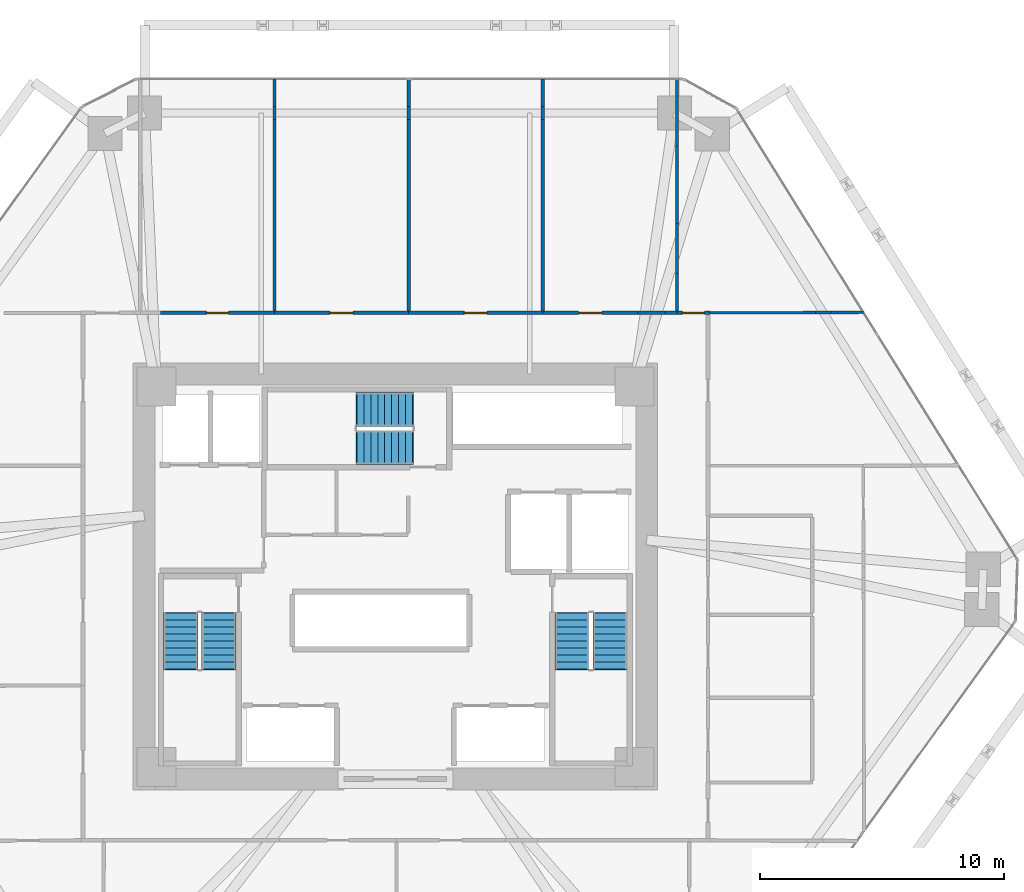
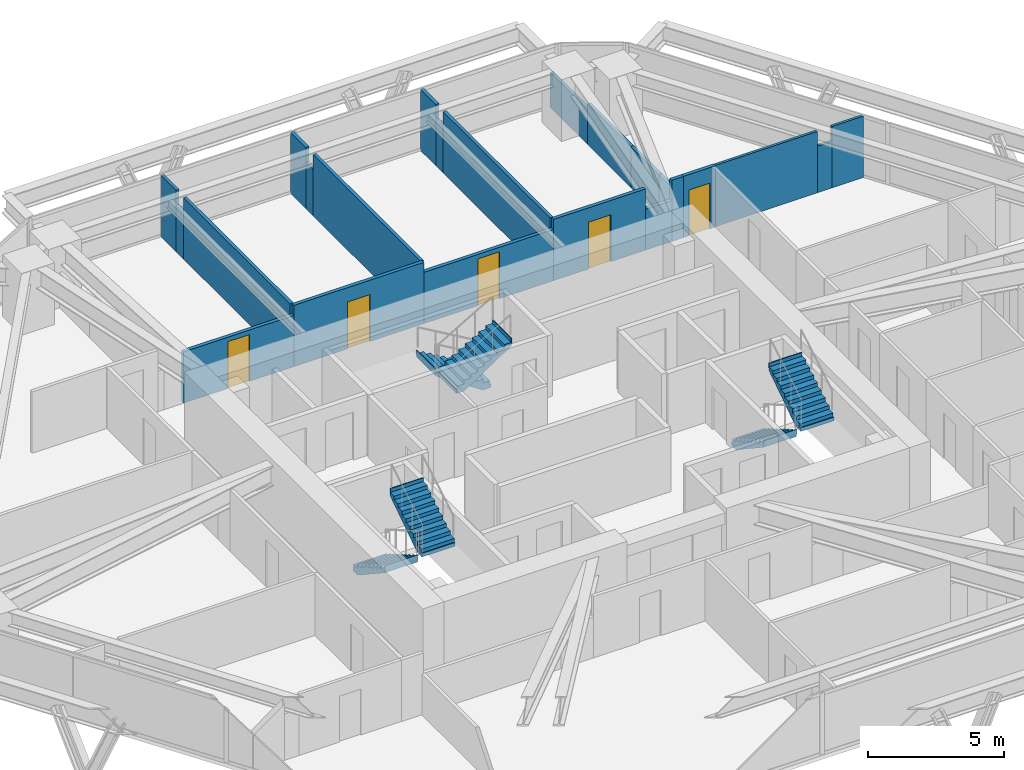
# One storey, part 14 of 15: 23 walls, 6 stair flights, 5 doors, 5 openings, 3 elements without a shape of their own.
"""IFC4 building model written with IfcOpenShell, lengths in metres."""

import ifcopenshell
import ifcopenshell.guid

model = None  # the IFC model being written
_history = None  # IfcOwnerHistory: only IFC2X3 demands one
_inside = {}  # id of a spatial element -> (the spatial element, [elements in it])
_under = {}  # id of a project, library or spatial element -> (it, [spatial elements below it])
_declared = {}  # id of a project -> (the project, [libraries it declares])
_typed = {}  # id of a type object -> (the type object, [elements of that type])
_made_of = {}  # id of a material, layer set ... -> (it, [elements and type objects made of it])


def new_model(schema):
    """Start an empty IFC model of exactly this schema.

    Asked for "IFC4X3", IfcOpenShell would pick the latest addendum, in which some entities
    have other attributes; the version numbers below select the first issue.
    IFC2X3 requires an IfcOwnerHistory on every rooted entity: one is made here for all.
    """
    global model, _history
    if schema == "IFC4X3":
        model = ifcopenshell.file(schema_version=(4, 3, 0, 0))
    else:
        model = ifcopenshell.file(schema=schema)
    _inside.clear()
    _under.clear()
    _declared.clear()
    _typed.clear()
    _made_of.clear()
    _history = None
    if model.schema == "IFC2X3":
        org = make("IfcOrganization", Name="unknown")
        user = make(
            "IfcPersonAndOrganization",
            ThePerson=make("IfcPerson", FamilyName="unknown"),
            TheOrganization=org,
        )
        app = make(
            "IfcApplication",
            ApplicationDeveloper=org,
            Version="unknown",
            ApplicationFullName="unknown",
            ApplicationIdentifier="unknown",
        )
        _history = make(
            "IfcOwnerHistory",
            OwningUser=user,
            OwningApplication=app,
            ChangeAction="ADDED",
            CreationDate=0,
        )
    return model


def make(cls, **values):
    """One entity of the class cls with the attributes given. An attribute that is None is left unset."""
    return model.create_entity(
        cls, **{name: value for name, value in values.items() if value is not None}
    )


def rooted(cls, **values):
    """An entity with a GlobalId (a new one), such as an element, a storey or a relation."""
    return make(cls, GlobalId=ifcopenshell.guid.new(), OwnerHistory=_history, **values)


def si_unit(unit_type, name, prefix=None):
    """IfcSIUnit, for example si_unit("LENGTHUNIT", "METRE", prefix="MILLI")."""
    return make("IfcSIUnit", UnitType=unit_type, Prefix=prefix, Name=name)


def assignment(units):
    """IfcUnitAssignment: the units of a project."""
    return None if units is None else make("IfcUnitAssignment", Units=units)


def point(xyz):
    """IfcCartesianPoint."""
    return None if xyz is None else make("IfcCartesianPoint", Coordinates=xyz)


def direction(xyz):
    """IfcDirection."""
    return None if xyz is None else make("IfcDirection", DirectionRatios=xyz)


def frame(location, z_axis=None, x_axis=None):
    """IfcAxis2Placement3D, a coordinate frame: its origin and axes. An axis left out is left unset."""
    return make(
        "IfcAxis2Placement3D",
        Location=point(location),
        Axis=direction(z_axis),
        RefDirection=direction(x_axis),
    )


def frame_2d(location, x_axis=None):
    """IfcAxis2Placement2D, a coordinate frame in the plane: its origin and x axis."""
    return make(
        "IfcAxis2Placement2D", Location=point(location), RefDirection=direction(x_axis)
    )


def origin():
    """The frame at (0, 0, 0) with its axes left unset."""
    return frame((0.0, 0.0, 0.0))


def place(relative_to, where):
    """IfcLocalPlacement: puts the frame where relative to a parent placement (None: the world)."""
    return make(
        "IfcLocalPlacement", PlacementRelTo=relative_to, RelativePlacement=where
    )


def context(
    kind, dimensions, precision=None, world=None, true_north=None, identifier=None
):
    """IfcGeometricRepresentationContext, for example the 3D "Model" context."""
    return make(
        "IfcGeometricRepresentationContext",
        ContextIdentifier=identifier,
        ContextType=kind,
        CoordinateSpaceDimension=dimensions,
        Precision=precision,
        WorldCoordinateSystem=world,
        TrueNorth=true_north,
    )


def subcontext(parent, identifier, kind, view, scale=None):
    """IfcGeometricRepresentationSubContext, for example "Body" below "Model"."""
    return make(
        "IfcGeometricRepresentationSubContext",
        ContextIdentifier=identifier,
        ContextType=kind,
        ParentContext=parent,
        TargetScale=scale,
        TargetView=view,
    )


def project(units=None, contexts=None):
    """IfcProject with its units and contexts."""
    return rooted(
        "IfcProject",
        Name="project",
        RepresentationContexts=contexts,
        UnitsInContext=assignment(units),
    )


def spatial(cls, under=None, at=None, **own):
    """A site, building, storey or space (cls), placed at a placement, below another one or the project."""
    s = rooted(cls, ObjectPlacement=at, **own)
    if under is not None:
        _under.setdefault(under.id(), (under, []))[1].append(s)
    return s


def polyline(points):
    """IfcPolyline through the points."""
    return make("IfcPolyline", Points=[point(p) for p in points])


def profile(cls, at=None, kind="AREA", **sizes):
    """A parametric profile (cls). Its sizes go by their IFC names, for example OverallWidth=200.0."""
    return make(cls, ProfileType=kind, Position=at, **sizes)


def rectangle(**sizes):
    """IfcRectangleProfileDef."""
    return profile("IfcRectangleProfileDef", **sizes)


def outline(outer, holes=None, kind="AREA"):
    """IfcArbitraryClosedProfileDef: a profile drawn as a closed curve; with holes, ...WithVoids."""
    if holes is None:
        return make("IfcArbitraryClosedProfileDef", ProfileType=kind, OuterCurve=outer)
    return make(
        "IfcArbitraryProfileDefWithVoids",
        ProfileType=kind,
        OuterCurve=outer,
        InnerCurves=holes,
    )


def extrude(swept, where, along, depth):
    """IfcExtrudedAreaSolid: the profile swept, set in the frame where, extruded along a direction by depth."""
    return make(
        "IfcExtrudedAreaSolid",
        SweptArea=swept,
        Position=where,
        ExtrudedDirection=direction(along),
        Depth=depth,
    )


def shape(context_of_items, identifier, shape_type, items):
    """IfcShapeRepresentation: the items that make up one representation, for example the "Body"."""
    return make(
        "IfcShapeRepresentation",
        ContextOfItems=context_of_items,
        RepresentationIdentifier=identifier,
        RepresentationType=shape_type,
        Items=items,
    )


def source(mapping_origin, context_of_items, identifier, shape_type, items):
    """IfcRepresentationMap: a shape defined once, which mapped items show again and again."""
    return make(
        "IfcRepresentationMap",
        MappingOrigin=mapping_origin,
        MappedRepresentation=shape(context_of_items, identifier, shape_type, items),
    )


def transform(
    local_origin,
    x_axis=None,
    y_axis=None,
    z_axis=None,
    scale=None,
    scale2=None,
    scale3=None,
    uniform=True,
):
    """IfcCartesianTransformationOperator3D, or its non-uniform kind. x_axis, y_axis, z_axis: its Axis1, 2, 3."""
    if uniform:
        return make(
            "IfcCartesianTransformationOperator3D",
            Axis1=direction(x_axis),
            Axis2=direction(y_axis),
            LocalOrigin=point(local_origin),
            Scale=scale,
            Axis3=direction(z_axis),
        )
    return make(
        "IfcCartesianTransformationOperator3DnonUniform",
        Axis1=direction(x_axis),
        Axis2=direction(y_axis),
        LocalOrigin=point(local_origin),
        Scale=scale,
        Axis3=direction(z_axis),
        Scale2=scale2,
        Scale3=scale3,
    )


def mapped(mapping_source, mapping_target):
    """IfcMappedItem: shows the shape of a source again, moved by a transform."""
    return make(
        "IfcMappedItem", MappingSource=mapping_source, MappingTarget=mapping_target
    )


def material(Name=None, Category=None):
    """IfcMaterial."""
    return make("IfcMaterial", Name=Name, Category=Category)


def layer(
    of_material, thickness, ventilated=None, Name=None, Category=None, Priority=None
):
    """IfcMaterialLayer: one layer of a wall or slab, of a material (None: an air gap)."""
    return make(
        "IfcMaterialLayer",
        Material=of_material,
        LayerThickness=thickness,
        IsVentilated=ventilated,
        Name=Name,
        Category=Category,
        Priority=Priority,
    )


def layer_set(layers, Name=None):
    """IfcMaterialLayerSet."""
    return make("IfcMaterialLayerSet", MaterialLayers=layers, LayerSetName=Name)


def made_of(thing, what):
    """Note that an element or type object is made of a material, layer set ...; save() writes the relation."""
    if what is not None:
        _made_of.setdefault(what.id(), (what, []))[1].append(thing)
    return thing


def type_object(cls, material=None, **own):
    """A type object (cls), such as IfcWallType, which elements share."""
    return made_of(rooted(cls, **own), material)


def type_shapes(of_type, sources):
    """Give a type object the sources (RepresentationMaps) that its elements show as mapped items."""
    of_type.RepresentationMaps = sources


def element(
    cls,
    number,
    at=None,
    inside=None,
    cuts=None,
    type_object=None,
    material=None,
    context=None,
    identifier="Body",
    shape_type=None,
    held_by="IfcProductDefinitionShape",
    body=None,
    shapes=None,
    **own,
):
    """One element of the class cls, such as IfcWall. Its Tag is "e" and its number.

    at: its placement. inside: the storey or other place that contains it. cuts: it is an
    opening in that element (IfcRelVoidsElement). A single representation is given by context,
    identifier, shape_type and body (its items); several are given by shapes. held_by: the class
    of the entity that holds the representations. save() writes the other relations.
    """
    e = rooted(cls, Tag="e%d" % number, ObjectPlacement=at, **own)
    if body is not None:
        shapes = [shape(context, identifier, shape_type, body)]
    if shapes is not None:
        e.Representation = make(held_by, Representations=shapes)
    if inside is not None:
        _inside.setdefault(inside.id(), (inside, []))[1].append(e)
    if cuts is not None:
        rooted(
            "IfcRelVoidsElement", RelatingBuildingElement=cuts, RelatedOpeningElement=e
        )
    if type_object is not None:
        _typed.setdefault(type_object.id(), (type_object, []))[1].append(e)
    return made_of(e, material)


def fill(opening, filler):
    """IfcRelFillsElement: the door or window that sits in an opening."""
    return rooted(
        "IfcRelFillsElement",
        RelatingOpeningElement=opening,
        RelatedBuildingElement=filler,
    )


def aggregate(whole, parts):
    """IfcRelAggregates: a whole, such as a stair, and the parts it consists of."""
    return rooted("IfcRelAggregates", RelatingObject=whole, RelatedObjects=parts)


def save(model, path):
    """Write the relations noted so far, then the file.

    IfcRelAggregates (storeys below a building ...), IfcRelContainedInSpatialStructure (elements
    in a storey), IfcRelDefinesByType, IfcRelAssociatesMaterial and IfcRelDeclares: one each for
    every whole, place, type object, material and project.
    """
    for whole, parts in _under.values():
        aggregate(whole, parts)
    for where, things in _inside.values():
        rooted(
            "IfcRelContainedInSpatialStructure",
            RelatedElements=things,
            RelatingStructure=where,
        )
    for kind, things in _typed.values():
        rooted("IfcRelDefinesByType", RelatedObjects=things, RelatingType=kind)
    for what, things in _made_of.values():
        rooted("IfcRelAssociatesMaterial", RelatedObjects=things, RelatingMaterial=what)
    for by, libraries in _declared.values():
        rooted("IfcRelDeclares", RelatingContext=by, RelatedDefinitions=libraries)
    model.write(path)


model = new_model("IFC4")

# Units and contexts
model_context = context("Model", 3, precision=1e-05, world=origin(), true_north=direction((0.0, 1.0)))
body_context = subcontext(model_context, "Body", "Model", "MODEL_VIEW")
ifc_project = project(units=[si_unit("LENGTHUNIT", "METRE"), si_unit("AREAUNIT", "SQUARE_METRE"), si_unit("VOLUMEUNIT", "CUBIC_METRE"), si_unit("PLANEANGLEUNIT", "RADIAN"), si_unit("MASSUNIT", "GRAM", prefix="KILO")], contexts=[model_context])

# Site, building, storey
site_placement = place(None, origin())
site = spatial("IfcSite", under=ifc_project, at=site_placement, CompositionType="ELEMENT")
building_placement = place(site_placement, origin())
building = spatial("IfcBuilding", under=site, at=building_placement, Name="Durnholm Broadcast Tower", CompositionType="ELEMENT")
storey_placement = place(building_placement, frame((0.0, 0.0, 75.300048828125)))
storey = spatial("IfcBuildingStorey", under=building, at=storey_placement, Name="L19", CompositionType="ELEMENT", Elevation=75.300048828125)

# Walls
ifc_material_1 = material(Name="Operable Acoustic Panel Partition", Category="aluminium")
ifc_layer_1 = layer(ifc_material_1, 0.110107421875)
ifc_layer_set_1 = layer_set([ifc_layer_1], Name="Operable Acoustic Panel Partition")
wall_type_1 = type_object("IfcWallType", Name="WALL-MOV-110", PredefinedType="MOVABLE", material=ifc_layer_set_1)
wall_1_placement = place(storey_placement, frame((19.18212890625, 10.831298828125, 0.0), z_axis=(0.0, 0.0, 1.0), x_axis=(-0.999994579825, -0.00329246432, 0.0)))
element("IfcWall", 1, at=wall_1_placement, inside=storey, type_object=wall_type_1, Name="L19 room dividing partition 11.22", PredefinedType="MOVABLE", context=body_context, shape_type="SweptSolid", body=[
    extrude(rectangle(XDim=1.334716796875, YDim=0.110107421875, at=frame_2d((0.66748046875, 0.0))), origin(), (0.0, 0.0, 1.0), 2.744873046875),
])
wall_2_placement = place(storey_placement, frame((17.225341796875, 10.82470703125, 0.0), z_axis=(0.0, 0.0, 1.0), x_axis=(-0.999994480721, -0.003322427884, 0.0)))
element("IfcWall", 2, at=wall_2_placement, inside=storey, type_object=wall_type_1, Name="L19 room dividing partition 11.22", PredefinedType="MOVABLE", context=body_context, shape_type="SweptSolid", body=[
    extrude(rectangle(XDim=4.33544921875, YDim=0.110107421875, at=frame_2d((2.167724609375, 0.0))), origin(), (0.0, 0.0, 1.0), 2.744873046875),
])
wall_3_placement = place(storey_placement, frame((17.847412109375, 10.826904296875, 0.0), z_axis=(0.0, 0.0, 1.0), x_axis=(-0.999993761903, -0.00353216007, 0.0)))
element("IfcWall", 3, at=wall_3_placement, inside=storey, type_object=wall_type_1, Name="L19 room dividing partition 11.22", PredefinedType="MOVABLE", context=body_context, shape_type="SweptSolid", body=[
    extrude(rectangle(XDim=0.6220703125, YDim=0.110107421875, at=frame_2d((0.31103515625, 0.0))), origin(), (0.0, 0.0, 1.0), 2.079833984375),
])
ifc_material_2 = material(Name="Gypsum Metal Stud Partition", Category="concrete")
ifc_layer_2 = layer(ifc_material_2, 0.135009765625)
ifc_layer_set_2 = layer_set([ifc_layer_2], Name="Gypsum Metal Stud Partition")
wall_type_2 = type_object("IfcWallType", Name="WALL-PART-135", PredefinedType="PARTITIONING", material=ifc_layer_set_2)
wall_4_placement = place(storey_placement, frame((-4.9599609375, 20.39990234375, 0.0), z_axis=(0.0, 0.0, 1.0), x_axis=(0.0, -1.0, 0.0)))
element("IfcWall", 4, at=wall_4_placement, inside=storey, type_object=wall_type_2, Name="L19 room dividing partition 7.8", PredefinedType="PARTITIONING", context=body_context, shape_type="SweptSolid", body=[
    extrude(rectangle(XDim=1.135498046875, YDim=0.135009765625, at=frame_2d((0.56787109375, 0.0))), origin(), (0.0, 0.0, 1.0), 2.744873046875),
])
wall_5_placement = place(storey_placement, frame((-4.9599609375, 18.735595703125, 0.0), z_axis=(0.0, 0.0, 1.0), x_axis=(0.0, -1.0, 0.0)))
element("IfcWall", 5, at=wall_5_placement, inside=storey, type_object=wall_type_2, Name="L19 room dividing partition 7.8", PredefinedType="PARTITIONING", context=body_context, shape_type="SweptSolid", body=[
    extrude(rectangle(XDim=7.8466796875, YDim=0.135009765625, at=frame_2d((3.92333984375, 0.0))), origin(), (0.0, 0.0, 1.0), 2.744873046875),
])
wall_6_placement = place(storey_placement, frame((-4.9599609375, 19.264404296875, 0.0), z_axis=(0.0, 0.0, 1.0), x_axis=(0.0, -1.0, 0.0)))
element("IfcWall", 6, at=wall_6_placement, inside=storey, type_object=wall_type_2, Name="L19 room dividing partition 7.8", PredefinedType="PARTITIONING", context=body_context, shape_type="SweptSolid", body=[
    extrude(rectangle(XDim=0.52880859375, YDim=0.135009765625, at=frame_2d((0.264404296875, 0.0))), origin(), (0.0, 0.0, 1.0), 2.079833984375),
])
wall_7_placement = place(storey_placement, frame((0.5400390625, 20.39990234375, 0.0), z_axis=(0.0, 0.0, 1.0), x_axis=(0.0, -1.0, 0.0)))
element("IfcWall", 7, at=wall_7_placement, inside=storey, type_object=wall_type_2, Name="L19 room dividing partition 8.9", PredefinedType="PARTITIONING", context=body_context, shape_type="SweptSolid", body=[
    extrude(rectangle(XDim=1.135498046875, YDim=0.135009765625, at=frame_2d((0.56787109375, 0.0))), origin(), (0.0, 0.0, 1.0), 2.744873046875),
])
wall_8_placement = place(storey_placement, frame((0.5400390625, 18.735595703125, 0.0), z_axis=(0.0, 0.0, 1.0), x_axis=(0.0, -1.0, 0.0)))
element("IfcWall", 8, at=wall_8_placement, inside=storey, type_object=wall_type_2, Name="L19 room dividing partition 8.9", PredefinedType="PARTITIONING", context=body_context, shape_type="SweptSolid", body=[
    extrude(rectangle(XDim=7.8466796875, YDim=0.135009765625, at=frame_2d((3.92333984375, 0.0))), origin(), (0.0, 0.0, 1.0), 2.744873046875),
])
wall_9_placement = place(storey_placement, frame((0.5400390625, 19.264404296875, 0.0), z_axis=(0.0, 0.0, 1.0), x_axis=(0.0, -1.0, 0.0)))
element("IfcWall", 9, at=wall_9_placement, inside=storey, type_object=wall_type_2, Name="L19 room dividing partition 8.9", PredefinedType="PARTITIONING", context=body_context, shape_type="SweptSolid", body=[
    extrude(rectangle(XDim=0.52880859375, YDim=0.135009765625, at=frame_2d((0.264404296875, 0.0))), origin(), (0.0, 0.0, 1.0), 2.079833984375),
])
wall_10_placement = place(storey_placement, frame((6.0400390625, 20.39990234375, 0.0), z_axis=(0.0, 0.0, 1.0), x_axis=(0.0, -1.0, 0.0)))
element("IfcWall", 10, at=wall_10_placement, inside=storey, type_object=wall_type_2, Name="L19 room dividing partition 9.10", PredefinedType="PARTITIONING", context=body_context, shape_type="SweptSolid", body=[
    extrude(rectangle(XDim=1.135498046875, YDim=0.135009765625, at=frame_2d((0.56787109375, 0.0))), origin(), (0.0, 0.0, 1.0), 2.744873046875),
])
wall_11_placement = place(storey_placement, frame((6.0400390625, 18.735595703125, 0.0), z_axis=(0.0, 0.0, 1.0), x_axis=(0.0, -1.0, 0.0)))
element("IfcWall", 11, at=wall_11_placement, inside=storey, type_object=wall_type_2, Name="L19 room dividing partition 9.10", PredefinedType="PARTITIONING", context=body_context, shape_type="SweptSolid", body=[
    extrude(rectangle(XDim=7.8466796875, YDim=0.135009765625, at=frame_2d((3.92333984375, 0.0))), origin(), (0.0, 0.0, 1.0), 2.744873046875),
])
wall_12_placement = place(storey_placement, frame((6.0400390625, 19.264404296875, 0.0), z_axis=(0.0, 0.0, 1.0), x_axis=(0.0, -1.0, 0.0)))
element("IfcWall", 12, at=wall_12_placement, inside=storey, type_object=wall_type_2, Name="L19 room dividing partition 9.10", PredefinedType="PARTITIONING", context=body_context, shape_type="SweptSolid", body=[
    extrude(rectangle(XDim=0.52880859375, YDim=0.135009765625, at=frame_2d((0.264404296875, 0.0))), origin(), (0.0, 0.0, 1.0), 2.079833984375),
])
wall_13_placement = place(storey_placement, frame((11.5400390625, 17.651611328125, 0.0), z_axis=(0.0, 0.0, 1.0), x_axis=(0.0, -1.0, 0.0)))
element("IfcWall", 13, at=wall_13_placement, inside=storey, type_object=wall_type_2, Name="L19 room dividing partition 10.11", PredefinedType="PARTITIONING", context=body_context, shape_type="SweptSolid", body=[
    extrude(rectangle(XDim=3.173095703125, YDim=0.135009765625, at=frame_2d((1.58642578125, 0.0))), origin(), (0.0, 0.0, 1.0), 1.830078125),
])
wall_14_placement = place(storey_placement, frame((11.5400390625, 12.425537109375, 0.0), z_axis=(0.0, 0.0, 1.0), x_axis=(0.0, -1.0, 0.0)))
element("IfcWall", 14, at=wall_14_placement, inside=storey, type_object=wall_type_2, Name="L19 room dividing partition 10.11", PredefinedType="PARTITIONING", context=body_context, shape_type="SweptSolid", body=[
    extrude(rectangle(XDim=1.53662109375, YDim=0.135009765625, at=frame_2d((0.768310546875, 0.0))), origin(), (0.0, 0.0, 1.0), 1.830078125),
])
wall_15_placement = place(storey_placement, frame((11.5400390625, 20.39990234375, 0.0), z_axis=(0.0, 0.0, 1.0), x_axis=(0.0, -1.0, 0.0)))
element("IfcWall", 15, at=wall_15_placement, inside=storey, type_object=wall_type_2, Name="L19 room dividing partition 10.11", PredefinedType="PARTITIONING", context=body_context, shape_type="SweptSolid", body=[
    extrude(rectangle(XDim=2.748291015625, YDim=0.135009765625, at=frame_2d((1.3740234375, 0.0))), origin(), (0.0, 0.0, 1.0), 1.5771484375),
])
wall_16_placement = place(storey_placement, frame((11.5400390625, 14.478515625, 0.0), z_axis=(0.0, 0.0, 1.0), x_axis=(0.0, -1.0, 0.0)))
element("IfcWall", 16, at=wall_16_placement, inside=storey, type_object=wall_type_2, Name="L19 room dividing partition 10.11", PredefinedType="PARTITIONING", context=body_context, shape_type="SweptSolid", body=[
    extrude(rectangle(XDim=2.052978515625, YDim=0.135009765625, at=frame_2d((1.0263671875, 0.0))), origin(), (0.0, 0.0, 1.0), 1.830078125),
])

# Wall, opening, door
ifc_material_3 = material(Name="Acoustic Gypsum Stud Partition", Category="concrete")
ifc_layer_3 = layer(ifc_material_3, 0.14990234375)
ifc_layer_set_3 = layer_set([ifc_layer_3], Name="Acoustic Gypsum Stud Partition")
wall_type_3 = type_object("IfcWallType", Name="WALL-PART-150", PredefinedType="PARTITIONING", material=ifc_layer_set_3)
wall_17_placement = place(storey_placement, frame((-4.9599609375, 10.81005859375, 0.0), z_axis=(0.0, 0.0, 1.0), x_axis=(-1.0, 0.0, 0.0)))
wall_17 = element("IfcWall", 17, at=wall_17_placement, inside=storey, type_object=wall_type_3, Name="L19 Documentary Office 2 corridor partition", PredefinedType="PARTITIONING", context=body_context, shape_type="SweptSolid", body=[
    extrude(rectangle(XDim=4.66748046875, YDim=0.14990234375, at=frame_2d((2.333740234375, 0.0))), origin(), (0.0, 0.0, 1.0), 2.297607421875),
])
opening_1_placement = place(wall_17_placement, frame((1.873779296875, 0.0, 0.0)))
opening_1 = element("IfcOpeningElement", 18, at=opening_1_placement, cuts=wall_17, Name="Opening DR-92L", PredefinedType="OPENING", context=body_context, shape_type="SweptSolid", body=[
    extrude(rectangle(XDim=0.919921875, YDim=2.10009765625, at=frame_2d((0.4599609375, 1.050048828125))), frame((0.0, 0.0849609375, 0.0), z_axis=(0.0, -1.0, 0.0), x_axis=(1.0, 0.0, 0.0)), (0.0, 0.0, 1.0), 0.169921875),
])
ifc_material_4 = material(Name="Oak Veneer Office Door", Category="wood")
ifc_layer_4 = layer(ifc_material_4, 0.050048828125)
ifc_layer_set_4 = layer_set([ifc_layer_4], Name="Oak Veneer Office Door")
door_type_1 = type_object("IfcDoorType", Name="DOOR-RM-920L", OperationType="NOTDEFINED", PredefinedType="DOOR", material=ifc_layer_set_4)
shared_shape_1 = source(origin(), body_context, "Body", "SweptSolid", [
    extrude(rectangle(XDim=0.919921875, YDim=2.10009765625, at=frame_2d((0.4599609375, 1.050048828125))), frame((0.0, 0.02490234375, 0.0), z_axis=(0.0, -1.0, 0.0), x_axis=(1.0, 0.0, 0.0)), (0.0, 0.0, 1.0), 0.050048828125),
])
type_shapes(door_type_1, [shared_shape_1])
door_1_placement = place(opening_1_placement, origin())
door_1 = element("IfcDoor", 19, at=door_1_placement, inside=storey, type_object=door_type_1, Name="L19 Documentary Office 2 entrance door", OperationType="SINGLE_SWING_LEFT", OverallHeight=2.10009765625, OverallWidth=0.919921875, PredefinedType="DOOR", context=body_context, shape_type="MappedRepresentation", body=[
    mapped(shared_shape_1, transform((0.0, 0.0, 0.0), x_axis=(1.0, 0.0, 0.0), y_axis=(0.0, 1.0, 0.0), z_axis=(0.0, 0.0, 1.0), scale=1.0)),
])
fill(opening_1, door_1)

wall_18_placement = place(storey_placement, frame((0.5400390625, 10.81005859375, 0.0), z_axis=(0.0, 0.0, 1.0), x_axis=(-1.0, 0.0, 0.0)))
wall_18 = element("IfcWall", 20, at=wall_18_placement, inside=storey, type_object=wall_type_3, Name="L19 Post Edit Office 1 corridor partition", PredefinedType="PARTITIONING", context=body_context, shape_type="SweptSolid", body=[
    extrude(rectangle(XDim=5.5, YDim=0.14990234375, at=frame_2d((2.75, 0.0))), origin(), (0.0, 0.0, 1.0), 2.744873046875),
])
opening_2_placement = place(wall_18_placement, frame((2.27490234375, 0.0, 0.0)))
opening_2 = element("IfcOpeningElement", 21, at=opening_2_placement, cuts=wall_18, Name="Opening DR-95R", PredefinedType="OPENING", context=body_context, shape_type="SweptSolid", body=[
    extrude(rectangle(XDim=0.949951171875, YDim=2.10009765625, at=frame_2d((0.47509765625, 1.050048828125))), frame((0.0, 0.0849609375, 0.0), z_axis=(0.0, -1.0, 0.0), x_axis=(1.0, 0.0, 0.0)), (0.0, 0.0, 1.0), 0.169921875),
])
ifc_material_5 = material(Name="Acoustic Oak Veneer Timber Door", Category="wood")
ifc_layer_5 = layer(ifc_material_5, 0.050048828125)
ifc_layer_set_5 = layer_set([ifc_layer_5], Name="Acoustic Oak Veneer Timber Door")
door_type_2 = type_object("IfcDoorType", Name="DOOR-RM-950R", OperationType="NOTDEFINED", PredefinedType="DOOR", material=ifc_layer_set_5)
shared_shape_2 = source(origin(), body_context, "Body", "SweptSolid", [
    extrude(rectangle(XDim=0.949951171875, YDim=2.10009765625, at=frame_2d((0.47509765625, 1.050048828125))), frame((0.0, 0.02490234375, 0.0), z_axis=(0.0, -1.0, 0.0), x_axis=(1.0, 0.0, 0.0)), (0.0, 0.0, 1.0), 0.050048828125),
])
type_shapes(door_type_2, [shared_shape_2])
door_2_placement = place(opening_2_placement, origin())
door_2 = element("IfcDoor", 22, at=door_2_placement, inside=storey, type_object=door_type_2, Name="L19 Post Edit Office 1 entrance door", OperationType="SINGLE_SWING_RIGHT", OverallHeight=2.10009765625, OverallWidth=0.949951171875, PredefinedType="DOOR", context=body_context, shape_type="MappedRepresentation", body=[
    mapped(shared_shape_2, transform((0.0, 0.0, 0.0), x_axis=(1.0, 0.0, 0.0), y_axis=(0.0, 1.0, 0.0), z_axis=(0.0, 0.0, 1.0), scale=1.0)),
])
fill(opening_2, door_2)

wall_19_placement = place(storey_placement, frame((6.0400390625, 10.81005859375, 0.0), z_axis=(0.0, 0.0, 1.0), x_axis=(-1.0, 0.0, 0.0)))
wall_19 = element("IfcWall", 23, at=wall_19_placement, inside=storey, type_object=wall_type_3, Name="L19 Post Edit Office 2 corridor partition", PredefinedType="PARTITIONING", context=body_context, shape_type="SweptSolid", body=[
    extrude(rectangle(XDim=5.5, YDim=0.14990234375, at=frame_2d((2.75, 0.0))), origin(), (0.0, 0.0, 1.0), 2.297607421875),
])
opening_3_placement = place(wall_19_placement, frame((2.2900390625, 0.0, 0.0)))
opening_3 = element("IfcOpeningElement", 24, at=opening_3_placement, cuts=wall_19, Name="Opening DR-92L", PredefinedType="OPENING", context=body_context, shape_type="SweptSolid", body=[
    extrude(rectangle(XDim=0.919921875, YDim=2.10009765625, at=frame_2d((0.4599609375, 1.050048828125))), frame((0.0, 0.0849609375, 0.0), z_axis=(0.0, -1.0, 0.0), x_axis=(1.0, 0.0, 0.0)), (0.0, 0.0, 1.0), 0.169921875),
])
door_3_placement = place(opening_3_placement, origin())
door_3 = element("IfcDoor", 25, at=door_3_placement, inside=storey, type_object=door_type_1, Name="L19 Post Edit Office 2 entrance door", OperationType="SINGLE_SWING_LEFT", OverallHeight=2.10009765625, OverallWidth=0.919921875, PredefinedType="DOOR", context=body_context, shape_type="MappedRepresentation", body=[
    mapped(shared_shape_1, transform((0.0, 0.0, 0.0), x_axis=(1.0, 0.0, 0.0), y_axis=(0.0, 1.0, 0.0), z_axis=(0.0, 0.0, 1.0), scale=1.0)),
])
fill(opening_3, door_3)

# Wall
wall_20_placement = place(storey_placement, frame((11.5400390625, 10.81005859375, 0.0), z_axis=(0.0, 0.0, 1.0), x_axis=(-1.0, 0.0, 0.0)))
element("IfcWall", 26, at=wall_20_placement, inside=storey, type_object=wall_type_3, Name="L19 Foley Office corridor partition", PredefinedType="PARTITIONING", context=body_context, shape_type="SweptSolid", body=[
    extrude(rectangle(XDim=0.49755859375, YDim=0.14990234375, at=frame_2d((0.248779296875, 0.0))), origin(), (0.0, 0.0, 1.0), 2.744873046875),
])

# Wall, opening, door
wall_21_placement = place(storey_placement, frame((9.93310546875, 10.81005859375, 0.0), z_axis=(0.0, 0.0, 1.0), x_axis=(-1.0, 0.0, 0.0)))
wall_21 = element("IfcWall", 27, at=wall_21_placement, inside=storey, type_object=wall_type_3, Name="L19 Foley Office corridor partition", PredefinedType="PARTITIONING", context=body_context, shape_type="SweptSolid", body=[
    extrude(rectangle(XDim=3.89306640625, YDim=0.14990234375, at=frame_2d((1.946533203125, 0.0))), origin(), (0.0, 0.0, 1.0), 2.744873046875),
])
opening_4_placement = place(wall_21_placement, frame((1.4716796875, 0.0, 0.0)))
opening_4 = element("IfcOpeningElement", 28, at=opening_4_placement, cuts=wall_21, Name="Opening DR-95R", PredefinedType="OPENING", context=body_context, shape_type="SweptSolid", body=[
    extrude(rectangle(XDim=0.949951171875, YDim=2.10009765625, at=frame_2d((0.47509765625, 1.050048828125))), frame((0.0, 0.0849609375, 0.0), z_axis=(0.0, -1.0, 0.0), x_axis=(1.0, 0.0, 0.0)), (0.0, 0.0, 1.0), 0.169921875),
])
door_4_placement = place(opening_4_placement, origin())
door_4 = element("IfcDoor", 29, at=door_4_placement, inside=storey, type_object=door_type_2, Name="L19 Foley Office entrance door", OperationType="SINGLE_SWING_RIGHT", OverallHeight=2.10009765625, OverallWidth=0.949951171875, PredefinedType="DOOR", context=body_context, shape_type="MappedRepresentation", body=[
    mapped(shared_shape_2, transform((0.0, 0.0, 0.0), x_axis=(1.0, 0.0, 0.0), y_axis=(0.0, 1.0, 0.0), z_axis=(0.0, 0.0, 1.0), scale=1.0)),
])
fill(opening_4, door_4)

# Wall
wall_22_placement = place(storey_placement, frame((11.04248046875, 10.81005859375, 0.0), z_axis=(0.0, 0.0, 1.0), x_axis=(-1.0, 0.0, 0.0)))
element("IfcWall", 30, at=wall_22_placement, inside=storey, type_object=wall_type_3, Name="L19 Foley Office corridor partition", PredefinedType="PARTITIONING", context=body_context, shape_type="SweptSolid", body=[
    extrude(rectangle(XDim=1.109375, YDim=0.14990234375, at=frame_2d((0.5546875, 0.0))), origin(), (0.0, 0.0, 1.0), 1.830078125),
])

# Wall, opening, door
wall_23_placement = place(storey_placement, frame((12.889892578125, 10.81005859375, 0.0), z_axis=(0.0, 0.0, 1.0), x_axis=(-1.0, 0.0, 0.0)))
wall_23 = element("IfcWall", 31, at=wall_23_placement, inside=storey, type_object=wall_type_3, Name="L19 Media Review Meeting Room corridor partition", PredefinedType="PARTITIONING", context=body_context, shape_type="SweptSolid", body=[
    extrude(rectangle(XDim=1.349853515625, YDim=0.14990234375, at=frame_2d((0.6748046875, 0.0))), origin(), (0.0, 0.0, 1.0), 2.744873046875),
])
opening_5_placement = place(wall_23_placement, frame((0.22509765625, 0.0, 0.0)))
opening_5 = element("IfcOpeningElement", 32, at=opening_5_placement, cuts=wall_23, Name="Opening DW-90L", PredefinedType="OPENING", context=body_context, shape_type="SweptSolid", body=[
    extrude(rectangle(XDim=0.89990234375, YDim=2.050048828125, at=frame_2d((0.449951171875, 1.02490234375))), frame((0.0, 0.0849609375, 0.0), z_axis=(0.0, -1.0, 0.0), x_axis=(1.0, 0.0, 0.0)), (0.0, 0.0, 1.0), 0.169921875),
])
ifc_material_6 = material(Name="Laminate Restroom Door", Category="steel")
ifc_layer_6 = layer(ifc_material_6, 0.050048828125)
ifc_layer_set_6 = layer_set([ifc_layer_6], Name="Laminate Restroom Door")
door_type_3 = type_object("IfcDoorType", Name="DOOR-WC-900L", OperationType="NOTDEFINED", PredefinedType="DOOR", material=ifc_layer_set_6)
shared_shape_3 = source(origin(), body_context, "Body", "SweptSolid", [
    extrude(rectangle(XDim=0.89990234375, YDim=2.050048828125, at=frame_2d((0.449951171875, 1.02490234375))), frame((0.0, 0.02490234375, 0.0), z_axis=(0.0, -1.0, 0.0), x_axis=(1.0, 0.0, 0.0)), (0.0, 0.0, 1.0), 0.050048828125),
])
type_shapes(door_type_3, [shared_shape_3])
door_5_placement = place(opening_5_placement, origin())
door_5 = element("IfcDoor", 33, at=door_5_placement, inside=storey, type_object=door_type_3, Name="L19 Media Review Meeting Room entrance door", OperationType="SINGLE_SWING_LEFT", OverallHeight=2.050048828125, OverallWidth=0.89990234375, PredefinedType="DOOR", context=body_context, shape_type="MappedRepresentation", body=[
    mapped(shared_shape_3, transform((0.0, 0.0, 0.0), x_axis=(1.0, 0.0, 0.0), y_axis=(0.0, 1.0, 0.0), z_axis=(0.0, 0.0, 1.0), scale=1.0)),
])
fill(opening_5, door_5)

# Stair, stair flights
ifc_material_7 = material(Name="Concrete C50/60", Category="concrete")
stair_type = type_object("IfcStairType", Name="STAIR-DL-18R1667", PredefinedType="HALF_TURN_STAIR", material=ifc_material_7)
stair_1_placement = place(storey_placement, origin())
stair_1 = element("IfcStair", 34, at=stair_1_placement, inside=storey, type_object=stair_type, Name="L19 ST-1", PredefinedType="HALF_TURN_STAIR")
stair_flight_type = type_object("IfcStairFlightType", Name="FLIGHT-DL-18R1667", PredefinedType="STRAIGHT", material=ifc_material_7)
stair_flight_1_placement = place(storey_placement, frame((-8.800048828125, -1.5, 0.0), z_axis=(0.0, 0.0, 1.0), x_axis=(0.0, -1.0, 0.0)))
stair_flight_1 = element("IfcStairFlight", 35, at=stair_flight_1_placement, type_object=stair_flight_type, Name="ST-1 flight 1", NumberOfRisers=9, NumberOfTreads=8, PredefinedType="STRAIGHT", RiserHeight=0.166666667, TreadLength=0.285, context=body_context, shape_type="SweptSolid", body=[
    extrude(outline(polyline([(-0.0400390625, -0.14990234375), (-0.0400390625, 0.0), (0.0, 0.0), (0.0, 0.166748046875), (0.284912109375, 0.166748046875), (0.284912109375, 0.333251953125), (0.570068359375, 0.333251953125), (0.570068359375, 0.5), (0.85498046875, 0.5), (0.85498046875, 0.666748046875), (1.139892578125, 0.666748046875), (1.139892578125, 0.833251953125), (1.425048828125, 0.833251953125), (1.425048828125, 1.0), (1.7099609375, 1.0), (1.7099609375, 1.166748046875), (1.9951171875, 1.166748046875), (1.9951171875, 1.333251953125), (2.280029296875, 1.333251953125), (2.280029296875, 1.5), (2.320068359375, 1.5), (2.320068359375, 1.35009765625), (2.280029296875, 1.15966796875), (0.296875, -0.14990234375), (-0.0400390625, -0.14990234375)])), frame((0.0, 0.699951171875, 0.0), z_axis=(0.0, -1.0, 0.0), x_axis=(1.0, 0.0, 0.0)), (0.0, 0.0, 1.0), 1.39990234375),
])
stair_flight_2_placement = place(storey_placement, frame((-7.239990234375, -3.780029296875, 1.5), z_axis=(0.0, 0.0, 1.0), x_axis=(0.0, 1.0, 0.0)))
stair_flight_2 = element("IfcStairFlight", 36, at=stair_flight_2_placement, type_object=stair_flight_type, Name="ST-1 flight 2", NumberOfRisers=9, NumberOfTreads=8, PredefinedType="STRAIGHT", RiserHeight=0.166666667, TreadLength=0.285, context=body_context, shape_type="SweptSolid", body=[
    extrude(outline(polyline([(-0.0400390625, -0.14990234375), (-0.0400390625, 0.0), (0.0, 0.0), (0.0, 0.166748046875), (0.284912109375, 0.166748046875), (0.284912109375, 0.333251953125), (0.570068359375, 0.333251953125), (0.570068359375, 0.5), (0.85498046875, 0.5), (0.85498046875, 0.666748046875), (1.139892578125, 0.666748046875), (1.139892578125, 0.833251953125), (1.425048828125, 0.833251953125), (1.425048828125, 1.0), (1.7099609375, 1.0), (1.7099609375, 1.166748046875), (1.9951171875, 1.166748046875), (1.9951171875, 1.333251953125), (2.280029296875, 1.333251953125), (2.280029296875, 1.5), (2.320068359375, 1.5), (2.320068359375, 1.35009765625), (2.280029296875, 1.15966796875), (0.296875, -0.14990234375), (-0.0400390625, -0.14990234375)])), frame((0.0, 0.699951171875, 0.0), z_axis=(0.0, -1.0, 0.0), x_axis=(1.0, 0.0, 0.0)), (0.0, 0.0, 1.0), 1.39990234375),
])
aggregate(stair_1, [stair_flight_1, stair_flight_2])

stair_2_placement = place(storey_placement, origin())
stair_2 = element("IfcStair", 37, at=stair_2_placement, inside=storey, type_object=stair_type, Name="L19 ST-2", PredefinedType="HALF_TURN_STAIR")
stair_flight_3_placement = place(storey_placement, frame((7.239990234375, -1.5, 0.0), z_axis=(0.0, 0.0, 1.0), x_axis=(0.0, -1.0, 0.0)))
stair_flight_3 = element("IfcStairFlight", 38, at=stair_flight_3_placement, type_object=stair_flight_type, Name="ST-2 flight 1", NumberOfRisers=9, NumberOfTreads=8, PredefinedType="STRAIGHT", RiserHeight=0.166666667, TreadLength=0.285, context=body_context, shape_type="SweptSolid", body=[
    extrude(outline(polyline([(-0.0400390625, -0.14990234375), (-0.0400390625, 0.0), (0.0, 0.0), (0.0, 0.166748046875), (0.284912109375, 0.166748046875), (0.284912109375, 0.333251953125), (0.570068359375, 0.333251953125), (0.570068359375, 0.5), (0.85498046875, 0.5), (0.85498046875, 0.666748046875), (1.139892578125, 0.666748046875), (1.139892578125, 0.833251953125), (1.425048828125, 0.833251953125), (1.425048828125, 1.0), (1.7099609375, 1.0), (1.7099609375, 1.166748046875), (1.9951171875, 1.166748046875), (1.9951171875, 1.333251953125), (2.280029296875, 1.333251953125), (2.280029296875, 1.5), (2.320068359375, 1.5), (2.320068359375, 1.35009765625), (2.280029296875, 1.15966796875), (0.296875, -0.14990234375), (-0.0400390625, -0.14990234375)])), frame((0.0, 0.699951171875, 0.0), z_axis=(0.0, -1.0, 0.0), x_axis=(1.0, 0.0, 0.0)), (0.0, 0.0, 1.0), 1.39990234375),
])
stair_flight_4_placement = place(storey_placement, frame((8.800048828125, -3.780029296875, 1.5), z_axis=(0.0, 0.0, 1.0), x_axis=(0.0, 1.0, 0.0)))
stair_flight_4 = element("IfcStairFlight", 39, at=stair_flight_4_placement, type_object=stair_flight_type, Name="ST-2 flight 2", NumberOfRisers=9, NumberOfTreads=8, PredefinedType="STRAIGHT", RiserHeight=0.166666667, TreadLength=0.285, context=body_context, shape_type="SweptSolid", body=[
    extrude(outline(polyline([(-0.0400390625, -0.14990234375), (-0.0400390625, 0.0), (0.0, 0.0), (0.0, 0.166748046875), (0.284912109375, 0.166748046875), (0.284912109375, 0.333251953125), (0.570068359375, 0.333251953125), (0.570068359375, 0.5), (0.85498046875, 0.5), (0.85498046875, 0.666748046875), (1.139892578125, 0.666748046875), (1.139892578125, 0.833251953125), (1.425048828125, 0.833251953125), (1.425048828125, 1.0), (1.7099609375, 1.0), (1.7099609375, 1.166748046875), (1.9951171875, 1.166748046875), (1.9951171875, 1.333251953125), (2.280029296875, 1.333251953125), (2.280029296875, 1.5), (2.320068359375, 1.5), (2.320068359375, 1.35009765625), (2.280029296875, 1.15966796875), (0.296875, -0.14990234375), (-0.0400390625, -0.14990234375)])), frame((0.0, 0.699951171875, 0.0), z_axis=(0.0, -1.0, 0.0), x_axis=(1.0, 0.0, 0.0)), (0.0, 0.0, 1.0), 1.39990234375),
])
aggregate(stair_2, [stair_flight_3, stair_flight_4])

stair_3_placement = place(storey_placement, origin())
stair_3 = element("IfcStair", 40, at=stair_3_placement, inside=storey, type_object=stair_type, Name="L19 ST-3", PredefinedType="HALF_TURN_STAIR")
stair_flight_5_placement = place(storey_placement, frame((0.699951171875, 6.860107421875, 0.0), z_axis=(0.0, 0.0, 1.0), x_axis=(-1.0, 0.0, 0.0)))
stair_flight_5 = element("IfcStairFlight", 41, at=stair_flight_5_placement, type_object=stair_flight_type, Name="ST-3 flight 1", NumberOfRisers=9, NumberOfTreads=8, PredefinedType="STRAIGHT", RiserHeight=0.166666667, TreadLength=0.285, context=body_context, shape_type="SweptSolid", body=[
    extrude(outline(polyline([(-0.0400390625, -0.14990234375), (-0.0400390625, 0.0), (0.0, 0.0), (0.0, 0.166748046875), (0.284912109375, 0.166748046875), (0.284912109375, 0.333251953125), (0.570068359375, 0.333251953125), (0.570068359375, 0.5), (0.85498046875, 0.5), (0.85498046875, 0.666748046875), (1.139892578125, 0.666748046875), (1.139892578125, 0.833251953125), (1.425048828125, 0.833251953125), (1.425048828125, 1.0), (1.7099609375, 1.0), (1.7099609375, 1.166748046875), (1.9951171875, 1.166748046875), (1.9951171875, 1.333251953125), (2.280029296875, 1.333251953125), (2.280029296875, 1.5), (2.320068359375, 1.5), (2.320068359375, 1.35009765625), (2.280029296875, 1.15966796875), (0.296875, -0.14990234375), (-0.0400390625, -0.14990234375)])), frame((0.0, 0.699951171875, 0.0), z_axis=(0.0, -1.0, 0.0), x_axis=(1.0, 0.0, 0.0)), (0.0, 0.0, 1.0), 1.39990234375),
])
stair_flight_6_placement = place(storey_placement, frame((-1.580078125, 5.300048828125, 1.5), z_axis=(0.0, 0.0, 1.0), x_axis=(1.0, 0.0, 0.0)))
stair_flight_6 = element("IfcStairFlight", 42, at=stair_flight_6_placement, type_object=stair_flight_type, Name="ST-3 flight 2", NumberOfRisers=9, NumberOfTreads=8, PredefinedType="STRAIGHT", RiserHeight=0.166666667, TreadLength=0.285, context=body_context, shape_type="SweptSolid", body=[
    extrude(outline(polyline([(-0.0400390625, -0.14990234375), (-0.0400390625, 0.0), (0.0, 0.0), (0.0, 0.166748046875), (0.284912109375, 0.166748046875), (0.284912109375, 0.333251953125), (0.570068359375, 0.333251953125), (0.570068359375, 0.5), (0.85498046875, 0.5), (0.85498046875, 0.666748046875), (1.139892578125, 0.666748046875), (1.139892578125, 0.833251953125), (1.425048828125, 0.833251953125), (1.425048828125, 1.0), (1.7099609375, 1.0), (1.7099609375, 1.166748046875), (1.9951171875, 1.166748046875), (1.9951171875, 1.333251953125), (2.280029296875, 1.333251953125), (2.280029296875, 1.5), (2.320068359375, 1.5), (2.320068359375, 1.35009765625), (2.280029296875, 1.15966796875), (0.296875, -0.14990234375), (-0.0400390625, -0.14990234375)])), frame((0.0, 0.699951171875, 0.0), z_axis=(0.0, -1.0, 0.0), x_axis=(1.0, 0.0, 0.0)), (0.0, 0.0, 1.0), 1.39990234375),
])
aggregate(stair_3, [stair_flight_5, stair_flight_6])

save(model, "model.ifc")
